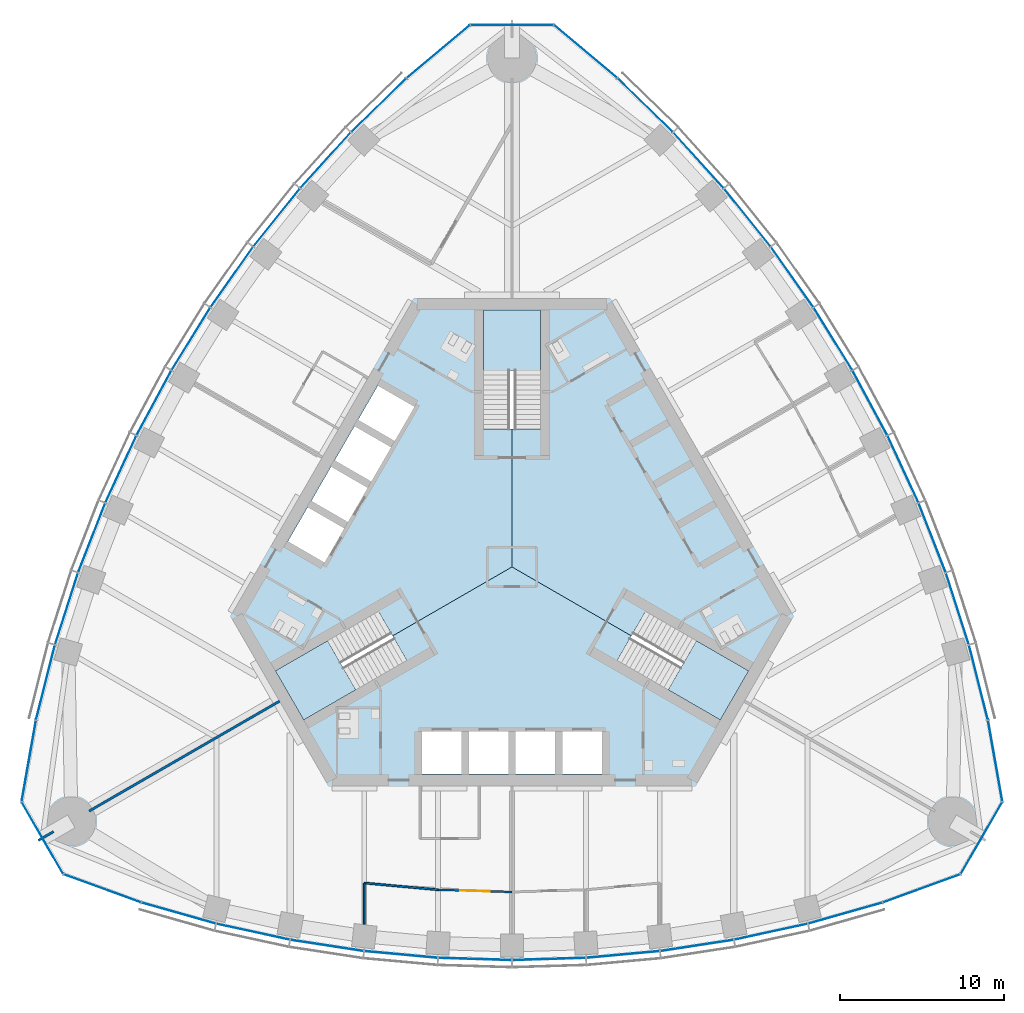
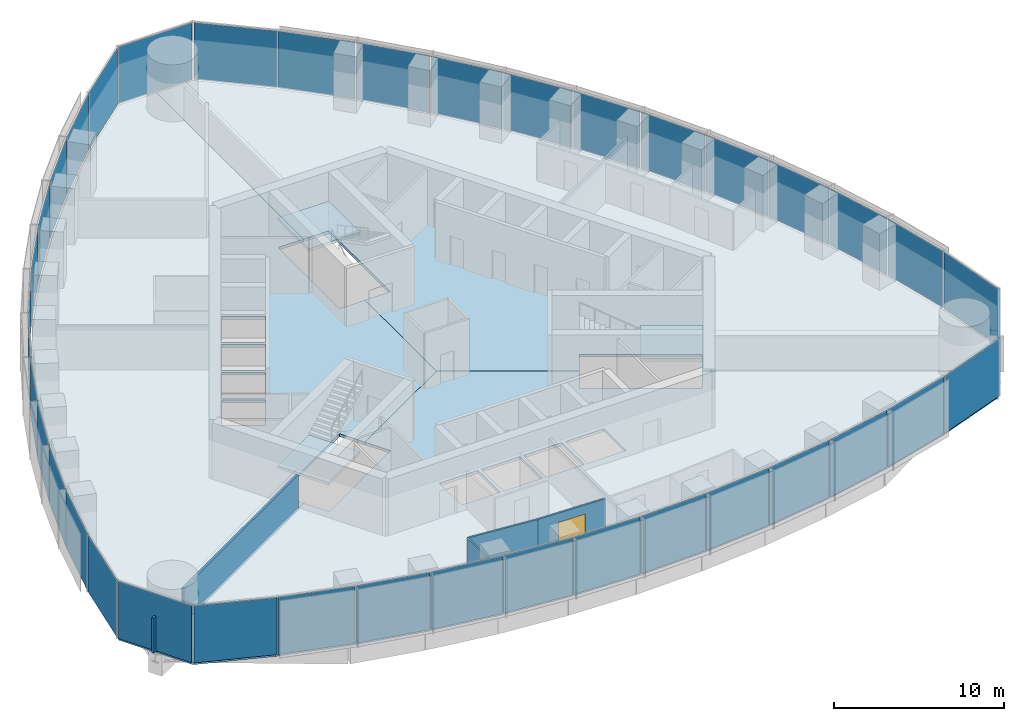
# One storey, part 7 of 15: 39 plates, 6 slabs, 5 walls, 1 door, 1 opening, 9 elements without a shape of their own.
"""IFC4 building model written with IfcOpenShell, lengths in metres."""

from ifc_helpers import new_model, si_unit, direction, frame, frame_2d, origin, origin_2d, place, context, subcontext, project, spatial, polyline, rectangle, outline, extrude, material, layer, layer_set, type_object, element, fill, aggregate, save


model = new_model("IFC4")

# Units and contexts
model_context = context("Model", 3, precision=1e-05, world=origin(), true_north=direction((0.0, 1.0)))
body_context = subcontext(model_context, "Body", "Model", "MODEL_VIEW")
ifc_project = project(units=[si_unit("LENGTHUNIT", "METRE"), si_unit("AREAUNIT", "SQUARE_METRE"), si_unit("VOLUMEUNIT", "CUBIC_METRE"), si_unit("PLANEANGLEUNIT", "RADIAN"), si_unit("MASSUNIT", "GRAM", prefix="KILO")], contexts=[model_context])

# Site, building, storey
site_placement = place(None, origin())
site = spatial("IfcSite", under=ifc_project, at=site_placement, CompositionType="ELEMENT")
building_placement = place(site_placement, origin())
building = spatial("IfcBuilding", under=site, at=building_placement, Name="Trefoil Bronze Tower", CompositionType="ELEMENT")
storey_placement = place(building_placement, frame((0.0, 0.0, 288.89990234375)))
storey = spatial("IfcBuildingStorey", under=building, at=storey_placement, Name="L66", CompositionType="ELEMENT", Elevation=288.89990234375)

# Curtain wall, plates
ifc_material_1 = material(Name="Tinted solar-control glass", Category="glass")
curtain_wall_type_1 = type_object("IfcCurtainWallType", Name="Bronze office curtain wall", PredefinedType="USERDEFINED", material=ifc_material_1)
curtain_wall_1_placement = place(storey_placement, origin())
curtain_wall_1 = element("IfcCurtainWall", 1, at=curtain_wall_1_placement, inside=storey, type_object=curtain_wall_type_1, Name="CW-A L66 F1", ObjectType="CURTAIN WALL", PredefinedType="USERDEFINED")
ifc_material_2 = material(Name="Tinted solar-control glass", Category="glass")
ifc_layer_1 = layer(ifc_material_2, 0.030029296875)
ifc_layer_set_1 = layer_set([ifc_layer_1], Name="Bronze office curtain wall glass panel")
plate_type_1 = type_object("IfcPlateType", Name="Bronze office curtain wall glass panel", PredefinedType="CURTAIN_PANEL", material=ifc_layer_set_1)
plate_1_placement = place(storey_placement, frame((-20.301513671875, -21.092529296875, 0.0), z_axis=(0.0, 0.0, 1.0), x_axis=(0.962097746943, -0.272704831875, 0.0)))
plate_1 = element("IfcPlate", 2, at=plate_1_placement, type_object=plate_type_1, Name="CW-A L66 F1 panel 1", PredefinedType="CURTAIN_PANEL", context=body_context, shape_type="SweptSolid", body=[
    extrude(rectangle(XDim=4.6474609375, YDim=0.030029296875, at=origin_2d()), origin(), (0.0, 0.0, 1.0), 4.080078125),
])
plate_2_placement = place(storey_placement, frame((-15.771240234375, -22.226318359375, 0.0), z_axis=(0.0, 0.0, 1.0), x_axis=(0.977303138829, -0.211845639168, 0.0)))
plate_2 = element("IfcPlate", 3, at=plate_2_placement, type_object=plate_type_1, Name="CW-A L66 F1 panel 2", PredefinedType="CURTAIN_PANEL", context=body_context, shape_type="SweptSolid", body=[
    extrude(rectangle(XDim=4.5244140625, YDim=0.030029296875, at=origin_2d()), origin(), (0.0, 0.0, 1.0), 4.080078125),
])
plate_3_placement = place(storey_placement, frame((-11.26513671875, -23.0595703125, 0.0), z_axis=(0.0, 0.0, 1.0), x_axis=(0.988485337216, -0.151316681529, 0.0)))
plate_3 = element("IfcPlate", 4, at=plate_3_placement, type_object=plate_type_1, Name="CW-A L66 F1 panel 3", PredefinedType="CURTAIN_PANEL", context=body_context, shape_type="SweptSolid", body=[
    extrude(rectangle(XDim=4.472412109375, YDim=0.030029296875, at=origin_2d()), origin(), (0.0, 0.0, 1.0), 4.080078125),
])
plate_4_placement = place(storey_placement, frame((-6.759033203125, -23.60986328125, 0.0), z_axis=(0.0, 0.0, 1.0), x_axis=(0.99587011625, -0.090789380212, 0.0)))
plate_4 = element("IfcPlate", 5, at=plate_4_placement, type_object=plate_type_1, Name="CW-A L66 F1 panel 4", PredefinedType="CURTAIN_PANEL", context=body_context, shape_type="SweptSolid", body=[
    extrude(rectangle(XDim=4.438720703125, YDim=0.030029296875, at=origin_2d()), origin(), (0.0, 0.0, 1.0), 4.080078125),
])
plate_5_placement = place(storey_placement, frame((-2.2529296875, -23.883544921875, 0.0), z_axis=(0.0, 0.0, 1.0), x_axis=(0.999541969785, -0.030263024264, 0.0)))
plate_5 = element("IfcPlate", 6, at=plate_5_placement, type_object=plate_type_1, Name="CW-A L66 F1 panel 5", PredefinedType="CURTAIN_PANEL", context=body_context, shape_type="SweptSolid", body=[
    extrude(rectangle(XDim=4.422119140625, YDim=0.030029296875, at=origin_2d()), origin(), (0.0, 0.0, 1.0), 4.080078125),
])
plate_6_placement = place(storey_placement, frame((2.2529296875, -23.883544921875, 0.0), z_axis=(0.0, 0.0, 1.0), x_axis=(0.999541969785, 0.030263024264, 0.0)))
plate_6 = element("IfcPlate", 7, at=plate_6_placement, type_object=plate_type_1, Name="CW-A L66 F1 panel 6", PredefinedType="CURTAIN_PANEL", context=body_context, shape_type="SweptSolid", body=[
    extrude(rectangle(XDim=4.422119140625, YDim=0.030029296875, at=origin_2d()), origin(), (0.0, 0.0, 1.0), 4.080078125),
])
plate_7_placement = place(storey_placement, frame((6.759033203125, -23.60986328125, 0.0), z_axis=(0.0, 0.0, 1.0), x_axis=(0.99587011625, 0.090789380212, 0.0)))
plate_7 = element("IfcPlate", 8, at=plate_7_placement, type_object=plate_type_1, Name="CW-A L66 F1 panel 7", PredefinedType="CURTAIN_PANEL", context=body_context, shape_type="SweptSolid", body=[
    extrude(rectangle(XDim=4.438720703125, YDim=0.030029296875, at=origin_2d()), origin(), (0.0, 0.0, 1.0), 4.080078125),
])
plate_8_placement = place(storey_placement, frame((11.26513671875, -23.0595703125, 0.0), z_axis=(0.0, 0.0, 1.0), x_axis=(0.988485337216, 0.151316681529, 0.0)))
plate_8 = element("IfcPlate", 9, at=plate_8_placement, type_object=plate_type_1, Name="CW-A L66 F1 panel 8", PredefinedType="CURTAIN_PANEL", context=body_context, shape_type="SweptSolid", body=[
    extrude(rectangle(XDim=4.472412109375, YDim=0.030029296875, at=origin_2d()), origin(), (0.0, 0.0, 1.0), 4.080078125),
])
plate_9_placement = place(storey_placement, frame((15.771240234375, -22.226318359375, 0.0), z_axis=(0.0, 0.0, 1.0), x_axis=(0.977303138829, 0.211845639168, 0.0)))
plate_9 = element("IfcPlate", 10, at=plate_9_placement, type_object=plate_type_1, Name="CW-A L66 F1 panel 9", PredefinedType="CURTAIN_PANEL", context=body_context, shape_type="SweptSolid", body=[
    extrude(rectangle(XDim=4.5244140625, YDim=0.030029296875, at=origin_2d()), origin(), (0.0, 0.0, 1.0), 4.080078125),
])
plate_10_placement = place(storey_placement, frame((20.301513671875, -21.092529296875, 0.0), z_axis=(0.0, 0.0, 1.0), x_axis=(0.962097746943, 0.272704831875, 0.0)))
plate_10 = element("IfcPlate", 11, at=plate_10_placement, type_object=plate_type_1, Name="CW-A L66 F1 panel 10", PredefinedType="CURTAIN_PANEL", context=body_context, shape_type="SweptSolid", body=[
    extrude(rectangle(XDim=4.6474609375, YDim=0.030029296875, at=origin_2d()), origin(), (0.0, 0.0, 1.0), 4.080078125),
])
aggregate(curtain_wall_1, [plate_1, plate_2, plate_3, plate_4, plate_5, plate_6, plate_7, plate_8, plate_9, plate_10])

curtain_wall_2_placement = place(storey_placement, origin())
curtain_wall_2 = element("IfcCurtainWall", 12, at=curtain_wall_2_placement, inside=storey, type_object=curtain_wall_type_1, Name="CW-A L66 F2", ObjectType="CURTAIN WALL", PredefinedType="USERDEFINED")
plate_11_placement = place(storey_placement, frame((28.417236328125, -7.035400390625, 0.0), z_axis=(0.0, 0.0, 1.0), x_axis=(-0.244879561333, 0.969553505713, 0.0)))
plate_11 = element("IfcPlate", 13, at=plate_11_placement, type_object=plate_type_1, Name="CW-A L66 F2 panel 1", PredefinedType="CURTAIN_PANEL", context=body_context, shape_type="SweptSolid", body=[
    extrude(rectangle(XDim=4.6474609375, YDim=0.030029296875, at=origin_2d()), origin(), (0.0, 0.0, 1.0), 4.080078125),
])
plate_12_placement = place(storey_placement, frame((27.134033203125, -2.545166015625, 0.0), z_axis=(0.0, 0.0, 1.0), x_axis=(-0.305187864214, 0.952292165009, 0.0)))
plate_12 = element("IfcPlate", 14, at=plate_12_placement, type_object=plate_type_1, Name="CW-A L66 F2 panel 2", PredefinedType="CURTAIN_PANEL", context=body_context, shape_type="SweptSolid", body=[
    extrude(rectangle(XDim=4.5244140625, YDim=0.030029296875, at=origin_2d()), origin(), (0.0, 0.0, 1.0), 4.080078125),
])
plate_13_placement = place(storey_placement, frame((25.602783203125, 1.77392578125, 0.0), z_axis=(0.0, 0.0, 1.0), x_axis=(-0.363198578387, 0.931711754062, 0.0)))
plate_13 = element("IfcPlate", 15, at=plate_13_placement, type_object=plate_type_1, Name="CW-A L66 F2 panel 3", PredefinedType="CURTAIN_PANEL", context=body_context, shape_type="SweptSolid", body=[
    extrude(rectangle(XDim=4.472412109375, YDim=0.030029296875, at=origin_2d()), origin(), (0.0, 0.0, 1.0), 4.080078125),
])
plate_14_placement = place(storey_placement, frame((23.826171875, 5.951416015625, 0.0), z_axis=(0.0, 0.0, 1.0), x_axis=(-0.419309148468, 0.907843509649, 0.0)))
plate_14 = element("IfcPlate", 16, at=plate_14_placement, type_object=plate_type_1, Name="CW-A L66 F2 panel 4", PredefinedType="CURTAIN_PANEL", context=body_context, shape_type="SweptSolid", body=[
    extrude(rectangle(XDim=4.438720703125, YDim=0.030029296875, at=origin_2d()), origin(), (0.0, 0.0, 1.0), 4.080078125),
])
plate_15_placement = place(storey_placement, frame((21.81005859375, 9.990478515625, 0.0), z_axis=(0.0, 0.0, 1.0), x_axis=(-0.473562437085, 0.880760250115, 0.0)))
plate_15 = element("IfcPlate", 17, at=plate_15_placement, type_object=plate_type_1, Name="CW-A L66 F2 panel 5", PredefinedType="CURTAIN_PANEL", context=body_context, shape_type="SweptSolid", body=[
    extrude(rectangle(XDim=4.422119140625, YDim=0.030029296875, at=origin_2d()), origin(), (0.0, 0.0, 1.0), 4.080078125),
])
plate_16_placement = place(storey_placement, frame((19.55712890625, 13.892822265625, 0.0), z_axis=(0.0, 0.0, 1.0), x_axis=(-0.525979532701, 0.850497225851, 0.0)))
plate_16 = element("IfcPlate", 18, at=plate_16_placement, type_object=plate_type_1, Name="CW-A L66 F2 panel 6", PredefinedType="CURTAIN_PANEL", context=body_context, shape_type="SweptSolid", body=[
    extrude(rectangle(XDim=4.422119140625, YDim=0.030029296875, at=origin_2d()), origin(), (0.0, 0.0, 1.0), 4.080078125),
])
plate_17_placement = place(storey_placement, frame((17.067138671875, 17.658447265625, 0.0), z_axis=(0.0, 0.0, 1.0), x_axis=(-0.576560967783, 0.817054129437, 0.0)))
plate_17 = element("IfcPlate", 19, at=plate_17_placement, type_object=plate_type_1, Name="CW-A L66 F2 panel 7", PredefinedType="CURTAIN_PANEL", context=body_context, shape_type="SweptSolid", body=[
    extrude(rectangle(XDim=4.438720703125, YDim=0.030029296875, at=origin_2d()), origin(), (0.0, 0.0, 1.0), 4.080078125),
])
plate_18_placement = place(storey_placement, frame((14.337646484375, 21.28564453125, 0.0), z_axis=(0.0, 0.0, 1.0), x_axis=(-0.625286758829, 0.780395072533, 0.0)))
plate_18 = element("IfcPlate", 20, at=plate_18_placement, type_object=plate_type_1, Name="CW-A L66 F2 panel 8", PredefinedType="CURTAIN_PANEL", context=body_context, shape_type="SweptSolid", body=[
    extrude(rectangle(XDim=4.472412109375, YDim=0.030029296875, at=origin_2d()), origin(), (0.0, 0.0, 1.0), 4.080078125),
])
plate_19_placement = place(storey_placement, frame((11.36279296875, 24.771484375, 0.0), z_axis=(0.0, 0.0, 1.0), x_axis=(-0.672115274615, 0.74044652584, 0.0)))
plate_19 = element("IfcPlate", 21, at=plate_19_placement, type_object=plate_type_1, Name="CW-A L66 F2 panel 9", PredefinedType="CURTAIN_PANEL", context=body_context, shape_type="SweptSolid", body=[
    extrude(rectangle(XDim=4.5244140625, YDim=0.030029296875, at=origin_2d()), origin(), (0.0, 0.0, 1.0), 4.080078125),
])
plate_20_placement = place(storey_placement, frame((8.115966796875, 28.127685546875, 0.0), z_axis=(0.0, 0.0, 1.0), x_axis=(-0.71721818561, 0.696848673839, 0.0)))
plate_20 = element("IfcPlate", 22, at=plate_20_placement, type_object=plate_type_1, Name="CW-A L66 F2 panel 10", PredefinedType="CURTAIN_PANEL", context=body_context, shape_type="SweptSolid", body=[
    extrude(rectangle(XDim=4.6474609375, YDim=0.030029296875, at=origin_2d()), origin(), (0.0, 0.0, 1.0), 4.080078125),
])
aggregate(curtain_wall_2, [plate_11, plate_12, plate_13, plate_14, plate_15, plate_16, plate_17, plate_18, plate_19, plate_20])

curtain_wall_3_placement = place(storey_placement, origin())
curtain_wall_3 = element("IfcCurtainWall", 23, at=curtain_wall_3_placement, inside=storey, type_object=curtain_wall_type_1, Name="CW-A L66 F3", ObjectType="CURTAIN WALL", PredefinedType="USERDEFINED")
plate_21_placement = place(storey_placement, frame((-8.115966796875, 28.127685546875, 0.0), z_axis=(0.0, 0.0, 1.0), x_axis=(-0.71721818561, -0.696848673839, 0.0)))
plate_21 = element("IfcPlate", 24, at=plate_21_placement, type_object=plate_type_1, Name="CW-A L66 F3 panel 1", PredefinedType="CURTAIN_PANEL", context=body_context, shape_type="SweptSolid", body=[
    extrude(rectangle(XDim=4.6474609375, YDim=0.030029296875, at=origin_2d()), origin(), (0.0, 0.0, 1.0), 4.080078125),
])
plate_22_placement = place(storey_placement, frame((-11.36279296875, 24.771484375, 0.0), z_axis=(0.0, 0.0, 1.0), x_axis=(-0.672115274615, -0.74044652584, 0.0)))
plate_22 = element("IfcPlate", 25, at=plate_22_placement, type_object=plate_type_1, Name="CW-A L66 F3 panel 2", PredefinedType="CURTAIN_PANEL", context=body_context, shape_type="SweptSolid", body=[
    extrude(rectangle(XDim=4.5244140625, YDim=0.030029296875, at=origin_2d()), origin(), (0.0, 0.0, 1.0), 4.080078125),
])
plate_23_placement = place(storey_placement, frame((-14.337646484375, 21.28564453125, 0.0), z_axis=(0.0, 0.0, 1.0), x_axis=(-0.625286758829, -0.780395072533, 0.0)))
plate_23 = element("IfcPlate", 26, at=plate_23_placement, type_object=plate_type_1, Name="CW-A L66 F3 panel 3", PredefinedType="CURTAIN_PANEL", context=body_context, shape_type="SweptSolid", body=[
    extrude(rectangle(XDim=4.472412109375, YDim=0.030029296875, at=origin_2d()), origin(), (0.0, 0.0, 1.0), 4.080078125),
])
plate_24_placement = place(storey_placement, frame((-17.067138671875, 17.658447265625, 0.0), z_axis=(0.0, 0.0, 1.0), x_axis=(-0.576560967783, -0.817054129437, 0.0)))
plate_24 = element("IfcPlate", 27, at=plate_24_placement, type_object=plate_type_1, Name="CW-A L66 F3 panel 4", PredefinedType="CURTAIN_PANEL", context=body_context, shape_type="SweptSolid", body=[
    extrude(rectangle(XDim=4.438720703125, YDim=0.030029296875, at=origin_2d()), origin(), (0.0, 0.0, 1.0), 4.080078125),
])
plate_25_placement = place(storey_placement, frame((-19.55712890625, 13.892822265625, 0.0), z_axis=(0.0, 0.0, 1.0), x_axis=(-0.525979532701, -0.850497225851, 0.0)))
plate_25 = element("IfcPlate", 28, at=plate_25_placement, type_object=plate_type_1, Name="CW-A L66 F3 panel 5", PredefinedType="CURTAIN_PANEL", context=body_context, shape_type="SweptSolid", body=[
    extrude(rectangle(XDim=4.422119140625, YDim=0.030029296875, at=origin_2d()), origin(), (0.0, 0.0, 1.0), 4.080078125),
])
plate_26_placement = place(storey_placement, frame((-21.81005859375, 9.990478515625, 0.0), z_axis=(0.0, 0.0, 1.0), x_axis=(-0.473562437085, -0.880760250115, 0.0)))
plate_26 = element("IfcPlate", 29, at=plate_26_placement, type_object=plate_type_1, Name="CW-A L66 F3 panel 6", PredefinedType="CURTAIN_PANEL", context=body_context, shape_type="SweptSolid", body=[
    extrude(rectangle(XDim=4.422119140625, YDim=0.030029296875, at=origin_2d()), origin(), (0.0, 0.0, 1.0), 4.080078125),
])
plate_27_placement = place(storey_placement, frame((-23.826171875, 5.951416015625, 0.0), z_axis=(0.0, 0.0, 1.0), x_axis=(-0.419309148468, -0.907843509649, 0.0)))
plate_27 = element("IfcPlate", 30, at=plate_27_placement, type_object=plate_type_1, Name="CW-A L66 F3 panel 7", PredefinedType="CURTAIN_PANEL", context=body_context, shape_type="SweptSolid", body=[
    extrude(rectangle(XDim=4.438720703125, YDim=0.030029296875, at=origin_2d()), origin(), (0.0, 0.0, 1.0), 4.080078125),
])
plate_28_placement = place(storey_placement, frame((-25.602783203125, 1.77392578125, 0.0), z_axis=(0.0, 0.0, 1.0), x_axis=(-0.363198578387, -0.931711754062, 0.0)))
plate_28 = element("IfcPlate", 31, at=plate_28_placement, type_object=plate_type_1, Name="CW-A L66 F3 panel 8", PredefinedType="CURTAIN_PANEL", context=body_context, shape_type="SweptSolid", body=[
    extrude(rectangle(XDim=4.472412109375, YDim=0.030029296875, at=origin_2d()), origin(), (0.0, 0.0, 1.0), 4.080078125),
])
plate_29_placement = place(storey_placement, frame((-27.134033203125, -2.545166015625, 0.0), z_axis=(0.0, 0.0, 1.0), x_axis=(-0.305187864214, -0.952292165009, 0.0)))
plate_29 = element("IfcPlate", 32, at=plate_29_placement, type_object=plate_type_1, Name="CW-A L66 F3 panel 9", PredefinedType="CURTAIN_PANEL", context=body_context, shape_type="SweptSolid", body=[
    extrude(rectangle(XDim=4.5244140625, YDim=0.030029296875, at=origin_2d()), origin(), (0.0, 0.0, 1.0), 4.080078125),
])
plate_30_placement = place(storey_placement, frame((-28.417236328125, -7.035400390625, 0.0), z_axis=(0.0, 0.0, 1.0), x_axis=(-0.244879561333, -0.969553505713, 0.0)))
plate_30 = element("IfcPlate", 33, at=plate_30_placement, type_object=plate_type_1, Name="CW-A L66 F3 panel 10", PredefinedType="CURTAIN_PANEL", context=body_context, shape_type="SweptSolid", body=[
    extrude(rectangle(XDim=4.6474609375, YDim=0.030029296875, at=origin_2d()), origin(), (0.0, 0.0, 1.0), 4.080078125),
])
aggregate(curtain_wall_3, [plate_21, plate_22, plate_23, plate_24, plate_25, plate_26, plate_27, plate_28, plate_29, plate_30])

ifc_material_3 = material(Name="Tinted solar-control glass", Category="glass")
curtain_wall_type_2 = type_object("IfcCurtainWallType", Name="Bronze rounded corner curtain wall", PredefinedType="USERDEFINED", material=ifc_material_3)
curtain_wall_4_placement = place(storey_placement, origin())
curtain_wall_4 = element("IfcCurtainWall", 34, at=curtain_wall_4_placement, inside=storey, type_object=curtain_wall_type_2, Name="CW-B L66 K1", ObjectType="CURTAIN WALL", PredefinedType="USERDEFINED")
ifc_material_4 = material(Name="Tinted solar-control glass", Category="glass")
ifc_layer_2 = layer(ifc_material_4, 0.030029296875)
ifc_layer_set_2 = layer_set([ifc_layer_2], Name="Bronze rounded corner curtain wall glass panel")
plate_type_2 = type_object("IfcPlateType", Name="Bronze rounded corner curtain wall glass panel", PredefinedType="CURTAIN_PANEL", material=ifc_layer_set_2)
plate_31_placement = place(storey_placement, frame((24.939453125, -19.587646484375, 0.0), z_axis=(0.0, 0.0, 1.0), x_axis=(0.939692620786, 0.342020143326, 0.0)))
plate_31 = element("IfcPlate", 35, at=plate_31_placement, type_object=plate_type_2, Name="CW-B L66 K1 panel 1", PredefinedType="CURTAIN_PANEL", context=body_context, shape_type="SweptSolid", body=[
    extrude(rectangle(XDim=4.956298828125, YDim=0.030029296875, at=origin_2d()), origin(), (0.0, 0.0, 1.0), 4.080078125),
])
plate_32_placement = place(storey_placement, frame((28.602783203125, -16.513916015625, 0.0), z_axis=(0.0, 0.0, 1.0), x_axis=(0.5, 0.866025403784, 0.0)))
plate_32 = element("IfcPlate", 36, at=plate_32_placement, type_object=plate_type_2, Name="CW-B L66 K1 panel 2", PredefinedType="CURTAIN_PANEL", context=body_context, shape_type="SweptSolid", body=[
    extrude(rectangle(XDim=4.956298828125, YDim=0.030029296875, at=origin_2d()), origin(), (0.0, 0.0, 1.0), 4.080078125),
])
plate_33_placement = place(storey_placement, frame((29.43310546875, -11.80419921875, 0.0), z_axis=(0.0, 0.0, 1.0), x_axis=(-0.173648177667, 0.984807753012, 0.0)))
plate_33 = element("IfcPlate", 37, at=plate_33_placement, type_object=plate_type_2, Name="CW-B L66 K1 panel 3", PredefinedType="CURTAIN_PANEL", context=body_context, shape_type="SweptSolid", body=[
    extrude(rectangle(XDim=4.956298828125, YDim=0.030029296875, at=origin_2d()), origin(), (0.0, 0.0, 1.0), 4.080078125),
])
aggregate(curtain_wall_4, [plate_31, plate_32, plate_33])

curtain_wall_5_placement = place(storey_placement, origin())
curtain_wall_5 = element("IfcCurtainWall", 38, at=curtain_wall_5_placement, inside=storey, type_object=curtain_wall_type_2, Name="CW-B L66 K2", ObjectType="CURTAIN WALL", PredefinedType="USERDEFINED")
plate_34_placement = place(storey_placement, frame((4.493896484375, 31.39208984375, 0.0), z_axis=(0.0, 0.0, 1.0), x_axis=(-0.766044443119, 0.642787609687, 0.0)))
plate_34 = element("IfcPlate", 39, at=plate_34_placement, type_object=plate_type_2, Name="CW-B L66 K2 panel 1", PredefinedType="CURTAIN_PANEL", context=body_context, shape_type="SweptSolid", body=[
    extrude(rectangle(XDim=4.956298828125, YDim=0.030029296875, at=origin_2d()), origin(), (0.0, 0.0, 1.0), 4.080078125),
])
plate_35_placement = place(storey_placement, frame((0.0, 33.027587890625, 0.0), z_axis=(0.0, 0.0, 1.0), x_axis=(-1.0, 0.0, 0.0)))
plate_35 = element("IfcPlate", 40, at=plate_35_placement, type_object=plate_type_2, Name="CW-B L66 K2 panel 2", PredefinedType="CURTAIN_PANEL", context=body_context, shape_type="SweptSolid", body=[
    extrude(rectangle(XDim=4.956298828125, YDim=0.030029296875, at=origin_2d()), origin(), (0.0, 0.0, 1.0), 4.080078125),
])
plate_36_placement = place(storey_placement, frame((-4.493896484375, 31.39208984375, 0.0), z_axis=(0.0, 0.0, 1.0), x_axis=(-0.766044443119, -0.642787609687, 0.0)))
plate_36 = element("IfcPlate", 41, at=plate_36_placement, type_object=plate_type_2, Name="CW-B L66 K2 panel 3", PredefinedType="CURTAIN_PANEL", context=body_context, shape_type="SweptSolid", body=[
    extrude(rectangle(XDim=4.956298828125, YDim=0.030029296875, at=origin_2d()), origin(), (0.0, 0.0, 1.0), 4.080078125),
])
aggregate(curtain_wall_5, [plate_34, plate_35, plate_36])

curtain_wall_6_placement = place(storey_placement, origin())
curtain_wall_6 = element("IfcCurtainWall", 42, at=curtain_wall_6_placement, inside=storey, type_object=curtain_wall_type_2, Name="CW-B L66 K3", ObjectType="CURTAIN WALL", PredefinedType="USERDEFINED")
plate_37_placement = place(storey_placement, frame((-29.43310546875, -11.80419921875, 0.0), z_axis=(0.0, 0.0, 1.0), x_axis=(-0.173648177667, -0.984807753012, 0.0)))
plate_37 = element("IfcPlate", 43, at=plate_37_placement, type_object=plate_type_2, Name="CW-B L66 K3 panel 1", PredefinedType="CURTAIN_PANEL", context=body_context, shape_type="SweptSolid", body=[
    extrude(rectangle(XDim=4.956298828125, YDim=0.030029296875, at=origin_2d()), origin(), (0.0, 0.0, 1.0), 4.080078125),
])
plate_38_placement = place(storey_placement, frame((-28.602783203125, -16.513916015625, 0.0), z_axis=(0.0, 0.0, 1.0), x_axis=(0.5, -0.866025403784, 0.0)))
plate_38 = element("IfcPlate", 44, at=plate_38_placement, type_object=plate_type_2, Name="CW-B L66 K3 panel 2", PredefinedType="CURTAIN_PANEL", context=body_context, shape_type="SweptSolid", body=[
    extrude(rectangle(XDim=4.956298828125, YDim=0.030029296875, at=origin_2d()), origin(), (0.0, 0.0, 1.0), 4.080078125),
])
plate_39_placement = place(storey_placement, frame((-24.939453125, -19.587646484375, 0.0), z_axis=(0.0, 0.0, 1.0), x_axis=(0.939692620786, -0.342020143326, 0.0)))
plate_39 = element("IfcPlate", 45, at=plate_39_placement, type_object=plate_type_2, Name="CW-B L66 K3 panel 3", PredefinedType="CURTAIN_PANEL", context=body_context, shape_type="SweptSolid", body=[
    extrude(rectangle(XDim=4.956298828125, YDim=0.030029296875, at=origin_2d()), origin(), (0.0, 0.0, 1.0), 4.080078125),
])
aggregate(curtain_wall_6, [plate_37, plate_38, plate_39])

# Slabs
ifc_material_5 = material(Name="Concrete B30", Category="concrete")
ifc_layer_3 = layer(ifc_material_5, 0.199951171875)
ifc_layer_set_3 = layer_set([ifc_layer_3], Name="Floor slab 200")
slab_type_1 = type_object("IfcSlabType", Name="Floor slab 200", PredefinedType="FLOOR", material=ifc_layer_set_3)
slab_1_placement = place(storey_placement, frame((0.0, 0.0, -0.199951171875)))
element("IfcSlab", 46, at=slab_1_placement, inside=storey, type_object=slab_type_1, Name="Floor slab L66 face 1", PredefinedType="FLOOR", context=body_context, shape_type="SweptSolid", body=[
    extrude(outline(polyline([(13.5, -22.6162109375), (9.0, -23.30517578125), (4.5, -23.71533203125), (0.0, -23.8515625), (-4.5, -23.71533203125), (-9.0, -23.30517578125), (-13.5, -22.6162109375), (-18.0, -21.640869140625), (-22.54833984375, -20.3515625), (-27.261962890625, -18.635986328125), (-28.51611328125, -16.4638671875), (-13.510009765625, -7.800048828125), (-12.6474609375, -9.2939453125), (-6.412109375, -5.69384765625), (-7.274658203125, -4.199951171875), (0.0, 0.0), (7.274658203125, -4.199951171875), (6.412109375, -5.69384765625), (12.6474609375, -9.2939453125), (13.510009765625, -7.800048828125), (28.51611328125, -16.4638671875), (27.261962890625, -18.635986328125), (22.54833984375, -20.3515625), (18.0, -21.640869140625), (13.5, -22.6162109375)]), holes=[polyline([(-5.574951171875, -10.02490234375), (-2.97509765625, -10.02490234375), (-2.97509765625, -12.60009765625), (-5.574951171875, -12.60009765625), (-5.574951171875, -10.02490234375)]), polyline([(-2.72509765625, -10.02490234375), (-0.125, -10.02490234375), (-0.125, -12.60009765625), (-2.72509765625, -12.60009765625), (-2.72509765625, -10.02490234375)]), polyline([(0.125, -10.02490234375), (2.72509765625, -10.02490234375), (2.72509765625, -12.60009765625), (0.125, -12.60009765625), (0.125, -10.02490234375)]), polyline([(2.97509765625, -10.02490234375), (5.574951171875, -10.02490234375), (5.574951171875, -12.60009765625), (2.97509765625, -12.60009765625), (2.97509765625, -10.02490234375)])]), origin(), (0.0, 0.0, 1.0), 0.199951171875),
])
slab_2_placement = place(storey_placement, frame((0.0, 0.0, -0.199951171875)))
element("IfcSlab", 47, at=slab_2_placement, inside=storey, type_object=slab_type_1, Name="Floor slab L66 face 2", PredefinedType="FLOOR", context=body_context, shape_type="SweptSolid", body=[
    extrude(outline(polyline([(12.836181640625, 22.99951171875), (15.682861328125, 19.44677734375), (18.2880859375, 15.7548828125), (20.656005859375, 11.92578125), (22.7880859375, 7.96044921875), (24.682861328125, 3.8583984375), (26.336181640625, -0.38330078125), (27.741455078125, -4.76806640625), (28.899169921875, -9.3515625), (29.770263671875, -14.291748046875), (28.51611328125, -16.4638671875), (13.510009765625, -7.800048828125), (14.37255859375, -6.30615234375), (8.13720703125, -2.7060546875), (7.274658203125, -4.199951171875), (0.0, 0.0), (0.0, 8.39990234375), (1.72509765625, 8.39990234375), (1.72509765625, 15.60009765625), (0.0, 15.60009765625), (0.0, 32.927490234375), (2.508056640625, 32.927490234375), (6.350830078125, 29.703125), (9.741455078125, 26.408935546875), (12.836181640625, 22.99951171875)])), origin(), (0.0, 0.0, 1.0), 0.199951171875),
])
slab_3_placement = place(storey_placement, frame((0.0, 0.0, -0.199951171875)))
element("IfcSlab", 48, at=slab_3_placement, inside=storey, type_object=slab_type_1, Name="Floor slab L66 face 3", PredefinedType="FLOOR", context=body_context, shape_type="SweptSolid", body=[
    extrude(outline(polyline([(-26.336181640625, -0.38330078125), (-24.682861328125, 3.8583984375), (-22.7880859375, 7.96044921875), (-20.656005859375, 11.92578125), (-18.2880859375, 15.7548828125), (-15.682861328125, 19.44677734375), (-12.836181640625, 22.99951171875), (-9.741455078125, 26.408935546875), (-6.350830078125, 29.703125), (-2.508056640625, 32.927490234375), (0.0, 32.927490234375), (0.0, 15.60009765625), (-1.72509765625, 15.60009765625), (-1.72509765625, 8.39990234375), (0.0, 8.39990234375), (0.0, 0.0), (-7.274658203125, -4.199951171875), (-8.13720703125, -2.7060546875), (-14.37255859375, -6.30615234375), (-13.510009765625, -7.800048828125), (-28.51611328125, -16.4638671875), (-29.770263671875, -14.291748046875), (-28.899169921875, -9.3515625), (-27.741455078125, -4.76806640625), (-26.336181640625, -0.38330078125)]), holes=[polyline([(-5.894287109375, 9.840576171875), (-7.1943359375, 7.5888671875), (-9.42431640625, 8.87646484375), (-8.12451171875, 11.128173828125), (-5.894287109375, 9.840576171875)]), polyline([(-7.3193359375, 7.372314453125), (-8.619384765625, 5.120849609375), (-10.849365234375, 6.408203125), (-9.54931640625, 8.659912109375), (-7.3193359375, 7.372314453125)]), polyline([(-8.744384765625, 4.904296875), (-10.04443359375, 2.652587890625), (-12.2744140625, 3.940185546875), (-10.974365234375, 6.191650390625), (-8.744384765625, 4.904296875)]), polyline([(-10.16943359375, 2.43603515625), (-11.469482421875, 0.184326171875), (-13.699462890625, 1.471923828125), (-12.3994140625, 3.7236328125), (-10.16943359375, 2.43603515625)])]), origin(), (0.0, 0.0, 1.0), 0.199951171875),
])

# Stair, slab
ifc_material_6 = material(Name="Precast concrete B80", Category="concrete")
stair_type = type_object("IfcStairType", Name="Exit stair 26 risers", PredefinedType="HALF_TURN_STAIR", material=ifc_material_6)
stair_1_placement = place(storey_placement, origin())
stair_1 = element("IfcStair", 49, at=stair_1_placement, inside=storey, type_object=stair_type, Name="Stair ST1 L66", PredefinedType="HALF_TURN_STAIR")
ifc_material_7 = material(Name="Concrete B30", Category="concrete")
ifc_layer_4 = layer(ifc_material_7, 0.199951171875)
ifc_layer_set_4 = layer_set([ifc_layer_4], Name="Stair landing 200")
slab_type_2 = type_object("IfcSlabType", Name="Stair landing 200", PredefinedType="LANDING", material=ifc_layer_set_4)
slab_4_placement = place(storey_placement, frame((0.0, 0.0, 1.900146484375)))
slab_4 = element("IfcSlab", 50, at=slab_4_placement, type_object=slab_type_2, Name="ST1 landing 1", PredefinedType="LANDING", context=body_context, shape_type="SweptSolid", body=[
    extrude(outline(polyline([(9.512451171875, -7.48388671875), (12.69091796875, -9.31884765625), (14.415771484375, -6.3310546875), (11.237548828125, -4.49609375), (9.512451171875, -7.48388671875)])), origin(), (0.0, 0.0, 1.0), 0.199951171875),
])
aggregate(stair_1, [slab_4])

stair_2_placement = place(storey_placement, origin())
stair_2 = element("IfcStair", 51, at=stair_2_placement, inside=storey, type_object=stair_type, Name="Stair ST2 L66", PredefinedType="HALF_TURN_STAIR")
slab_5_placement = place(storey_placement, frame((0.0, 0.0, 1.900146484375)))
slab_5 = element("IfcSlab", 52, at=slab_5_placement, type_object=slab_type_2, Name="ST2 landing 1", PredefinedType="LANDING", context=body_context, shape_type="SweptSolid", body=[
    extrude(outline(polyline([(1.72509765625, 11.97998046875), (1.72509765625, 15.64990234375), (-1.72509765625, 15.64990234375), (-1.72509765625, 11.97998046875), (1.72509765625, 11.97998046875)])), origin(), (0.0, 0.0, 1.0), 0.199951171875),
])
aggregate(stair_2, [slab_5])

stair_3_placement = place(storey_placement, origin())
stair_3 = element("IfcStair", 53, at=stair_3_placement, inside=storey, type_object=stair_type, Name="Stair ST3 L66", PredefinedType="HALF_TURN_STAIR")
slab_6_placement = place(storey_placement, frame((0.0, 0.0, 1.900146484375)))
slab_6 = element("IfcSlab", 54, at=slab_6_placement, type_object=slab_type_2, Name="ST3 landing 1", PredefinedType="LANDING", context=body_context, shape_type="SweptSolid", body=[
    extrude(outline(polyline([(-11.237548828125, -4.49609375), (-14.415771484375, -6.3310546875), (-12.69091796875, -9.31884765625), (-9.512451171875, -7.48388671875), (-11.237548828125, -4.49609375)])), origin(), (0.0, 0.0, 1.0), 0.199951171875),
])
aggregate(stair_3, [slab_6])

# Wall, opening, door
ifc_material_8 = material(Name="Glazed partition", Category="glass")
ifc_layer_5 = layer(ifc_material_8, 0.1201171875)
ifc_layer_set_5 = layer_set([ifc_layer_5], Name="Glazed partition 120")
wall_type_1 = type_object("IfcWallType", Name="Glazed partition 120", PredefinedType="PARTITIONING", material=ifc_layer_set_5)
wall_1_placement = place(storey_placement, frame((-4.5, -19.665283203125, 0.0), z_axis=(0.0, 0.0, 1.0), x_axis=(0.999542074227, -0.030259574513, 0.0)))
wall_1 = element("IfcWall", 55, at=wall_1_placement, inside=storey, type_object=wall_type_1, Name="Partition F1 L66", PredefinedType="PARTITIONING", context=body_context, shape_type="SweptSolid", body=[
    extrude(rectangle(XDim=4.501953125, YDim=0.1201171875, at=frame_2d((2.2509765625, 0.0))), origin(), (0.0, 0.0, 1.0), 2.900146484375),
])
opening_placement = place(wall_1_placement, frame((1.35009765625, 0.0, 0.14990234375)))
opening = element("IfcOpeningElement", 56, at=opening_placement, cuts=wall_1, Name="Opening D10", PredefinedType="OPENING", context=body_context, shape_type="SweptSolid", body=[
    extrude(rectangle(XDim=1.800048828125, YDim=2.10009765625, at=frame_2d((0.89990234375, 1.050048828125))), frame((0.0, 0.070068359375, 0.0), z_axis=(0.0, -1.0, 0.0), x_axis=(1.0, 0.0, 0.0)), (0.0, 0.0, 1.0), 0.14013671875),
])
ifc_material_9 = material(Name="Timber door", Category="wood")
door_type = type_object("IfcDoorType", Name="Double door 1800", OperationType="DOUBLE_DOOR_SINGLE_SWING", PredefinedType="DOOR", material=ifc_material_9)
door_placement = place(opening_placement, frame((1.800048828125, 0.0, 0.0), z_axis=(0.0, 0.0, 1.0), x_axis=(-1.0, 0.0, 0.0)))
door = element("IfcDoor", 57, at=door_placement, inside=storey, type_object=door_type, Name="Kitchen and breakout door F1 L66", OperationType="DOUBLE_DOOR_SINGLE_SWING", OverallHeight=2.10009765625, OverallWidth=1.800048828125, PredefinedType="DOOR", context=body_context, shape_type="SweptSolid", body=[
    extrude(rectangle(XDim=1.800048828125, YDim=2.10009765625, at=frame_2d((0.89990234375, 1.050048828125))), frame((0.0, 0.02490234375, 0.0), z_axis=(0.0, -1.0, 0.0), x_axis=(1.0, 0.0, 0.0)), (0.0, 0.0, 1.0), 0.050048828125),
])
fill(opening, door)

# Walls
wall_2_placement = place(storey_placement, frame((-9.0, -19.255126953125, 0.0), z_axis=(0.0, 0.0, 1.0), x_axis=(0.995871921504, -0.090769576179, 0.0)))
element("IfcWall", 58, at=wall_2_placement, inside=storey, type_object=wall_type_1, Name="Partition F1 L66", PredefinedType="PARTITIONING", context=body_context, shape_type="SweptSolid", body=[
    extrude(rectangle(XDim=4.5185546875, YDim=0.1201171875, at=frame_2d((2.25927734375, 0.0))), origin(), (0.0, 0.0, 1.0), 2.900146484375),
])
wall_3_placement = place(storey_placement, frame((-9.0, -19.255126953125, 0.0), z_axis=(0.0, 0.0, 1.0), x_axis=(0.0, -1.0, 0.0)))
element("IfcWall", 59, at=wall_3_placement, inside=storey, type_object=wall_type_1, Name="Partition F1 L66", PredefinedType="PARTITIONING", context=body_context, shape_type="SweptSolid", body=[
    extrude(rectangle(XDim=2.5087890625, YDim=0.1201171875, at=frame_2d((1.25439453125, 0.0))), origin(), (0.0, 0.0, 1.0), 2.900146484375),
])
ifc_material_10 = material(Name="Gypsum board on steel studs", Category="steel")
ifc_layer_6 = layer(ifc_material_10, 0.14990234375)
ifc_layer_set_6 = layer_set([ifc_layer_6], Name="Party wall 150")
wall_type_2 = type_object("IfcWallType", Name="Party wall 150", PredefinedType="PARTITIONING", material=ifc_layer_set_6)
wall_4_placement = place(storey_placement, frame((-14.159423828125, -8.175048828125, 0.0), z_axis=(0.0, 0.0, 1.0), x_axis=(-0.866026905467, -0.499997399001, 0.0)))
element("IfcWall", 60, at=wall_4_placement, inside=storey, type_object=wall_type_2, Name="Party wall K3 L66", PredefinedType="PARTITIONING", context=body_context, shape_type="SweptSolid", body=[
    extrude(rectangle(XDim=13.39990234375, YDim=0.14990234375, at=frame_2d((6.699951171875, 0.0))), origin(), (0.0, 0.0, 1.0), 2.5),
])
wall_5_placement = place(storey_placement, frame((-27.92919921875, -16.125, 0.0), z_axis=(0.0, 0.0, 1.0), x_axis=(-0.866086810508, -0.499893625349, 0.0)))
element("IfcWall", 61, at=wall_5_placement, inside=storey, type_object=wall_type_2, Name="Party wall K3 L66", PredefinedType="PARTITIONING", context=body_context, shape_type="SweptSolid", body=[
    extrude(rectangle(XDim=1.070068359375, YDim=0.14990234375, at=frame_2d((0.53515625, 0.0))), origin(), (0.0, 0.0, 1.0), 2.5),
])

save(model, "model.ifc")
